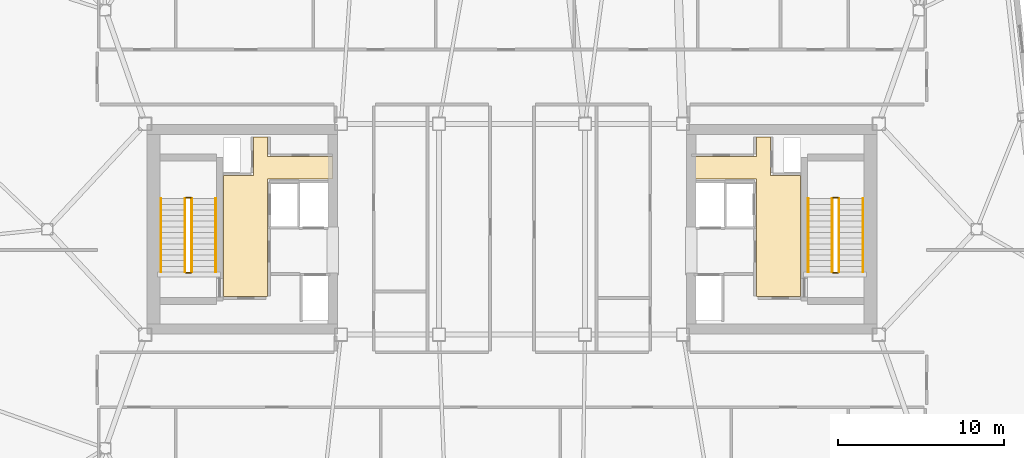
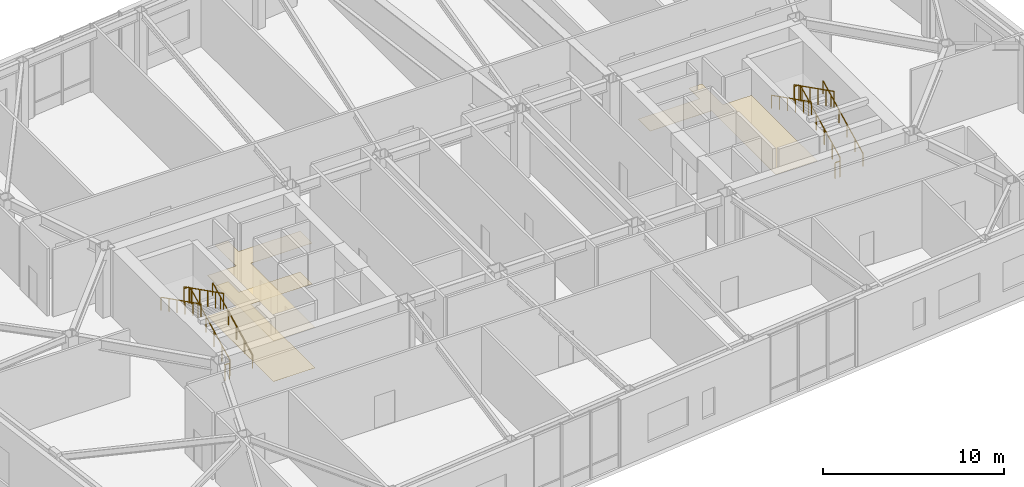
# One storey, part 21 of 21: 12 railings, 3 coverings.
"""IFC4 building model written with IfcOpenShell, lengths in metres."""

from ifc_helpers import new_model, si_unit, direction, frame, origin, origin_2d, place, context, subcontext, project, spatial, polyline, rectangle, outline, extrude, material, layer, layer_set, type_object, element, save


model = new_model("IFC4")

# Units and contexts
model_context = context("Model", 3, precision=1e-05, world=origin(), true_north=direction((0.0, 1.0)))
body_context = subcontext(model_context, "Body", "Model", "MODEL_VIEW")
ifc_project = project(units=[si_unit("LENGTHUNIT", "METRE"), si_unit("AREAUNIT", "SQUARE_METRE"), si_unit("VOLUMEUNIT", "CUBIC_METRE"), si_unit("PLANEANGLEUNIT", "RADIAN"), si_unit("MASSUNIT", "GRAM", prefix="KILO")], contexts=[model_context])

# Site, building, storey
site_placement = place(None, origin())
site = spatial("IfcSite", under=ifc_project, at=site_placement, CompositionType="ELEMENT")
building_placement = place(site_placement, origin())
building = spatial("IfcBuilding", under=site, at=building_placement, Name="Tavrogorsk Clinical Tower", CompositionType="ELEMENT")
storey_placement = place(building_placement, frame((0.0, 0.0, 238.199951171875)))
storey = spatial("IfcBuildingStorey", under=building, at=storey_placement, Name="L55", CompositionType="ELEMENT", Elevation=238.199951171875)

# Coverings
ifc_material_1 = material(Name="Antibacterial micro-perforated aluminium ceiling", Category="aluminium")
ifc_layer_1 = layer(ifc_material_1, 0.014892578125)
ifc_layer_set_1 = layer_set([ifc_layer_1], Name="Antibacterial micro-perforated aluminium ceiling")
covering_type_1 = type_object("IfcCoveringType", Name="ClinicalCeiling_15", PredefinedType="CEILING", material=ifc_layer_set_1)
covering_1_placement = place(storey_placement, frame((0.0, 0.0, 2.75)))
element("IfcCovering", 1, at=covering_1_placement, inside=storey, type_object=covering_type_1, Name="Core West Firefighting Lift Lobby Acoustic Ceiling", PredefinedType="CEILING", context=body_context, shape_type="SweptSolid", body=[
    extrude(outline(polyline([(-14.719970703125, 4.3798828125), (-10.800048828125, 4.3798828125), (-10.800048828125, 3.0400390625), (-14.719970703125, 3.0400390625), (-14.719970703125, -4.06005859375), (-17.3798828125, -4.06005859375), (-17.3798828125, 3.239990234375), (-15.56005859375, 3.239990234375), (-15.56005859375, 5.56005859375), (-14.719970703125, 5.56005859375), (-14.719970703125, 4.3798828125)])), origin(), (0.0, 0.0, 1.0), 0.01513671875),
])
covering_2_placement = place(storey_placement, frame((0.0, 0.0, 2.75)))
element("IfcCovering", 2, at=covering_2_placement, inside=storey, type_object=covering_type_1, Name="Core East Firefighting Lift Lobby Acoustic Ceiling", PredefinedType="CEILING", context=body_context, shape_type="SweptSolid", body=[
    extrude(outline(polyline([(14.719970703125, -4.06005859375), (14.719970703125, 3.0400390625), (10.800048828125, 3.0400390625), (10.800048828125, 4.3798828125), (14.719970703125, 4.3798828125), (14.719970703125, 5.56005859375), (15.56005859375, 5.56005859375), (15.56005859375, 3.239990234375), (17.3798828125, 3.239990234375), (17.3798828125, -4.06005859375), (14.719970703125, -4.06005859375)])), origin(), (0.0, 0.0, 1.0), 0.01513671875),
])
ifc_material_2 = material(Name="Homogeneous medical conductive PVC flooring")
ifc_layer_2 = layer(ifc_material_2, 0.008056640625)
ifc_layer_set_2 = layer_set([ifc_layer_2], Name="Homogeneous medical conductive PVC flooring")
covering_type_2 = type_object("IfcCoveringType", Name="ResilientVinylFloor_8", PredefinedType="FLOORING", material=ifc_layer_set_2)
covering_3_placement = place(storey_placement, origin())
element("IfcCovering", 3, at=covering_3_placement, inside=storey, type_object=covering_type_2, Name="Core West Firefighting Lift Lobby Conductive Vinyl Flooring", PredefinedType="FLOORING", context=body_context, shape_type="SweptSolid", body=[
    extrude(outline(polyline([(-14.719970703125, 4.3798828125), (-10.800048828125, 4.3798828125), (-10.800048828125, 3.0400390625), (-14.719970703125, 3.0400390625), (-14.719970703125, -4.06005859375), (-17.3798828125, -4.06005859375), (-17.3798828125, 3.239990234375), (-15.56005859375, 3.239990234375), (-15.56005859375, 5.56005859375), (-14.719970703125, 5.56005859375), (-14.719970703125, 4.3798828125)])), origin(), (0.0, 0.0, 1.0), 0.008056640625),
])

# Railings
ifc_material_3 = material(Name="Galvanised steel S355 safety stairwell guard", Category="steel")
ifc_layer_3 = layer(ifc_material_3, 0.06005859375)
ifc_layer_set_3 = layer_set([ifc_layer_3], Name="Galvanised steel S355 safety stairwell guard")
railing_type_1 = type_object("IfcRailingType", Name="StairGuard_1150", PredefinedType="GUARDRAIL", material=ifc_layer_set_3)
railing_1_placement = place(storey_placement, frame((-19.300048828125, -2.574951171875, 0.17138671875)))
element("IfcRailing", 4, at=railing_1_placement, inside=storey, type_object=railing_type_1, Name="L55 ST-W stair guard 1", PredefinedType="GUARDRAIL", context=body_context, shape_type="SweptSolid", body=[
    extrude(rectangle(XDim=0.048095703125, YDim=0.048095703125, at=origin_2d()), frame((0.0, 0.0, 1.076171875), z_axis=(0.0, 0.892902951771, 0.450249174034), x_axis=(-1.0, 0.0, 0.0)), (0.0, 0.0, 1.0), 4.949951171875),
    extrude(rectangle(XDim=0.0419921875, YDim=0.0419921875, at=origin_2d()), origin(), (0.0, 0.0, 1.0), 1.052001953125),
    extrude(rectangle(XDim=0.0419921875, YDim=0.0419921875, at=origin_2d()), frame((0.0, 0.884033203125, 0.44580078125)), (0.0, 0.0, 1.0), 1.052001953125),
    extrude(rectangle(XDim=0.0419921875, YDim=0.0419921875, at=origin_2d()), frame((0.0, 1.76806640625, 0.8916015625)), (0.0, 0.0, 1.0), 1.052001953125),
    extrude(rectangle(XDim=0.0419921875, YDim=0.0419921875, at=origin_2d()), frame((0.0, 2.65185546875, 1.337158203125)), (0.0, 0.0, 1.0), 1.052001953125),
    extrude(rectangle(XDim=0.0419921875, YDim=0.0419921875, at=origin_2d()), frame((0.0, 3.535888671875, 1.782958984375)), (0.0, 0.0, 1.0), 1.052001953125),
    extrude(rectangle(XDim=0.0419921875, YDim=0.0419921875, at=origin_2d()), frame((0.0, 4.419921875, 2.228759765625)), (0.0, 0.0, 1.0), 1.052001953125),
])
railing_2_placement = place(storey_placement, frame((-19.35009765625, 1.89501953125, 2.400146484375)))
element("IfcRailing", 5, at=railing_2_placement, inside=storey, type_object=railing_type_1, Name="L55 ST-W stair guard 2", PredefinedType="GUARDRAIL", context=body_context, shape_type="SweptSolid", body=[
    extrude(rectangle(XDim=0.048095703125, YDim=0.048095703125, at=origin_2d()), frame((0.0, 0.0, 1.076171875), z_axis=(-1.0, 0.0, 0.0), x_axis=(0.0, -1.0, 0.0)), (0.0, 0.0, 1.0), 0.2998046875),
    extrude(rectangle(XDim=0.0419921875, YDim=0.0419921875, at=origin_2d()), origin(), (0.0, 0.0, 1.0), 1.052001953125),
    extrude(rectangle(XDim=0.0419921875, YDim=0.0419921875, at=origin_2d()), frame((-0.2998046875, 0.0, 0.0)), (0.0, 0.0, 1.0), 1.052001953125),
])
railing_3_placement = place(storey_placement, frame((-19.699951171875, 1.844970703125, 2.571533203125)))
element("IfcRailing", 6, at=railing_3_placement, inside=storey, type_object=railing_type_1, Name="L55 ST-W stair guard 3", PredefinedType="GUARDRAIL", context=body_context, shape_type="SweptSolid", body=[
    extrude(rectangle(XDim=0.048095703125, YDim=0.048095703125, at=origin_2d()), frame((0.0, 0.0, 1.076171875), z_axis=(0.0, -0.89292277971, 0.450209850486), x_axis=(1.0, 0.0, 0.0)), (0.0, 0.0, 1.0), 4.949951171875),
    extrude(rectangle(XDim=0.0419921875, YDim=0.0419921875, at=origin_2d()), origin(), (0.0, 0.0, 1.0), 1.052001953125),
    extrude(rectangle(XDim=0.0419921875, YDim=0.0419921875, at=origin_2d()), frame((0.0, -0.884033203125, 0.44580078125)), (0.0, 0.0, 1.0), 1.052001953125),
    extrude(rectangle(XDim=0.0419921875, YDim=0.0419921875, at=origin_2d()), frame((0.0, -1.76806640625, 0.891357421875)), (0.0, 0.0, 1.0), 1.052001953125),
    extrude(rectangle(XDim=0.0419921875, YDim=0.0419921875, at=origin_2d()), frame((0.0, -2.65185546875, 1.337158203125)), (0.0, 0.0, 1.0), 1.052001953125),
    extrude(rectangle(XDim=0.0419921875, YDim=0.0419921875, at=origin_2d()), frame((0.0, -3.535888671875, 1.78271484375)), (0.0, 0.0, 1.0), 1.052001953125),
    extrude(rectangle(XDim=0.0419921875, YDim=0.0419921875, at=origin_2d()), frame((0.0, -4.419921875, 2.228515625)), (0.0, 0.0, 1.0), 1.052001953125),
])
railing_4_placement = place(storey_placement, frame((-19.35009765625, -2.625, 0.0)))
element("IfcRailing", 7, at=railing_4_placement, inside=storey, type_object=railing_type_1, Name="L55 ST-W stair guard 4", PredefinedType="GUARDRAIL", context=body_context, shape_type="SweptSolid", body=[
    extrude(rectangle(XDim=0.048095703125, YDim=0.048095703125, at=origin_2d()), frame((0.0, 0.0, 1.076171875), z_axis=(-1.0, 0.0, 0.0), x_axis=(0.0, -1.0, 0.0)), (0.0, 0.0, 1.0), 0.2998046875),
    extrude(rectangle(XDim=0.0419921875, YDim=0.0419921875, at=origin_2d()), origin(), (0.0, 0.0, 1.0), 1.052001953125),
    extrude(rectangle(XDim=0.0419921875, YDim=0.0419921875, at=origin_2d()), frame((-0.2998046875, 0.0, 0.0)), (0.0, 0.0, 1.0), 1.052001953125),
])
railing_5_placement = place(storey_placement, frame((19.699951171875, -2.574951171875, 0.17138671875)))
element("IfcRailing", 8, at=railing_5_placement, inside=storey, type_object=railing_type_1, Name="L55 ST-E stair guard 1", PredefinedType="GUARDRAIL", context=body_context, shape_type="SweptSolid", body=[
    extrude(rectangle(XDim=0.048095703125, YDim=0.048095703125, at=origin_2d()), frame((0.0, 0.0, 1.076171875), z_axis=(0.0, 0.892902951771, 0.450249174034), x_axis=(-1.0, 0.0, 0.0)), (0.0, 0.0, 1.0), 4.949951171875),
    extrude(rectangle(XDim=0.0419921875, YDim=0.0419921875, at=origin_2d()), origin(), (0.0, 0.0, 1.0), 1.052001953125),
    extrude(rectangle(XDim=0.0419921875, YDim=0.0419921875, at=origin_2d()), frame((0.0, 0.884033203125, 0.44580078125)), (0.0, 0.0, 1.0), 1.052001953125),
    extrude(rectangle(XDim=0.0419921875, YDim=0.0419921875, at=origin_2d()), frame((0.0, 1.76806640625, 0.8916015625)), (0.0, 0.0, 1.0), 1.052001953125),
    extrude(rectangle(XDim=0.0419921875, YDim=0.0419921875, at=origin_2d()), frame((0.0, 2.65185546875, 1.337158203125)), (0.0, 0.0, 1.0), 1.052001953125),
    extrude(rectangle(XDim=0.0419921875, YDim=0.0419921875, at=origin_2d()), frame((0.0, 3.535888671875, 1.782958984375)), (0.0, 0.0, 1.0), 1.052001953125),
    extrude(rectangle(XDim=0.0419921875, YDim=0.0419921875, at=origin_2d()), frame((0.0, 4.419921875, 2.228759765625)), (0.0, 0.0, 1.0), 1.052001953125),
])
railing_6_placement = place(storey_placement, frame((19.64990234375, 1.89501953125, 2.400146484375)))
element("IfcRailing", 9, at=railing_6_placement, inside=storey, type_object=railing_type_1, Name="L55 ST-E stair guard 2", PredefinedType="GUARDRAIL", context=body_context, shape_type="SweptSolid", body=[
    extrude(rectangle(XDim=0.048095703125, YDim=0.048095703125, at=origin_2d()), frame((0.0, 0.0, 1.076171875), z_axis=(-1.0, 0.0, 0.0), x_axis=(0.0, -1.0, 0.0)), (0.0, 0.0, 1.0), 0.2998046875),
    extrude(rectangle(XDim=0.0419921875, YDim=0.0419921875, at=origin_2d()), origin(), (0.0, 0.0, 1.0), 1.052001953125),
    extrude(rectangle(XDim=0.0419921875, YDim=0.0419921875, at=origin_2d()), frame((-0.2998046875, 0.0, 0.0)), (0.0, 0.0, 1.0), 1.052001953125),
])
railing_7_placement = place(storey_placement, frame((19.300048828125, 1.844970703125, 2.571533203125)))
element("IfcRailing", 10, at=railing_7_placement, inside=storey, type_object=railing_type_1, Name="L55 ST-E stair guard 3", PredefinedType="GUARDRAIL", context=body_context, shape_type="SweptSolid", body=[
    extrude(rectangle(XDim=0.048095703125, YDim=0.048095703125, at=origin_2d()), frame((0.0, 0.0, 1.076171875), z_axis=(0.0, -0.89292277971, 0.450209850486), x_axis=(1.0, 0.0, 0.0)), (0.0, 0.0, 1.0), 4.949951171875),
    extrude(rectangle(XDim=0.0419921875, YDim=0.0419921875, at=origin_2d()), origin(), (0.0, 0.0, 1.0), 1.052001953125),
    extrude(rectangle(XDim=0.0419921875, YDim=0.0419921875, at=origin_2d()), frame((0.0, -0.884033203125, 0.44580078125)), (0.0, 0.0, 1.0), 1.052001953125),
    extrude(rectangle(XDim=0.0419921875, YDim=0.0419921875, at=origin_2d()), frame((0.0, -1.76806640625, 0.891357421875)), (0.0, 0.0, 1.0), 1.052001953125),
    extrude(rectangle(XDim=0.0419921875, YDim=0.0419921875, at=origin_2d()), frame((0.0, -2.65185546875, 1.337158203125)), (0.0, 0.0, 1.0), 1.052001953125),
    extrude(rectangle(XDim=0.0419921875, YDim=0.0419921875, at=origin_2d()), frame((0.0, -3.535888671875, 1.78271484375)), (0.0, 0.0, 1.0), 1.052001953125),
    extrude(rectangle(XDim=0.0419921875, YDim=0.0419921875, at=origin_2d()), frame((0.0, -4.419921875, 2.228515625)), (0.0, 0.0, 1.0), 1.052001953125),
])
railing_8_placement = place(storey_placement, frame((19.64990234375, -2.625, 0.0)))
element("IfcRailing", 11, at=railing_8_placement, inside=storey, type_object=railing_type_1, Name="L55 ST-E stair guard 4", PredefinedType="GUARDRAIL", context=body_context, shape_type="SweptSolid", body=[
    extrude(rectangle(XDim=0.048095703125, YDim=0.048095703125, at=origin_2d()), frame((0.0, 0.0, 1.076171875), z_axis=(-1.0, 0.0, 0.0), x_axis=(0.0, -1.0, 0.0)), (0.0, 0.0, 1.0), 0.2998046875),
    extrude(rectangle(XDim=0.0419921875, YDim=0.0419921875, at=origin_2d()), origin(), (0.0, 0.0, 1.0), 1.052001953125),
    extrude(rectangle(XDim=0.0419921875, YDim=0.0419921875, at=origin_2d()), frame((-0.2998046875, 0.0, 0.0)), (0.0, 0.0, 1.0), 1.052001953125),
])
ifc_material_4 = material(Name="Stainless steel AISI 304 tubular handrail", Category="steel")
ifc_layer_4 = layer(ifc_material_4, 0.050048828125)
ifc_layer_set_4 = layer_set([ifc_layer_4], Name="Stainless steel AISI 304 tubular handrail")
railing_type_2 = type_object("IfcRailingType", Name="StairHandrail_920", PredefinedType="HANDRAIL", material=ifc_layer_set_4)
railing_9_placement = place(storey_placement, frame((-17.85009765625, -2.574951171875, 0.17138671875)))
element("IfcRailing", 12, at=railing_9_placement, inside=storey, type_object=railing_type_2, Name="L55 ST-W stair handrail 1", PredefinedType="HANDRAIL", context=body_context, shape_type="SweptSolid", body=[
    extrude(rectangle(XDim=0.048095703125, YDim=0.048095703125, at=origin_2d()), frame((0.0, 0.0, 0.8759765625), z_axis=(0.0, 0.892902951771, 0.450249174034), x_axis=(-1.0, 0.0, 0.0)), (0.0, 0.0, 1.0), 4.949951171875),
    extrude(rectangle(XDim=0.0419921875, YDim=0.0419921875, at=origin_2d()), origin(), (0.0, 0.0, 1.0), 0.851806640625),
    extrude(rectangle(XDim=0.0419921875, YDim=0.0419921875, at=origin_2d()), frame((0.0, 0.884033203125, 0.44580078125)), (0.0, 0.0, 1.0), 0.851806640625),
    extrude(rectangle(XDim=0.0419921875, YDim=0.0419921875, at=origin_2d()), frame((0.0, 1.76806640625, 0.8916015625)), (0.0, 0.0, 1.0), 0.851806640625),
    extrude(rectangle(XDim=0.0419921875, YDim=0.0419921875, at=origin_2d()), frame((0.0, 2.65185546875, 1.337158203125)), (0.0, 0.0, 1.0), 0.851806640625),
    extrude(rectangle(XDim=0.0419921875, YDim=0.0419921875, at=origin_2d()), frame((0.0, 3.535888671875, 1.782958984375)), (0.0, 0.0, 1.0), 0.851806640625),
    extrude(rectangle(XDim=0.0419921875, YDim=0.0419921875, at=origin_2d()), frame((0.0, 4.419921875, 2.228759765625)), (0.0, 0.0, 1.0), 0.851806640625),
])
railing_10_placement = place(storey_placement, frame((-21.14990234375, 1.844970703125, 2.571533203125)))
element("IfcRailing", 13, at=railing_10_placement, inside=storey, type_object=railing_type_2, Name="L55 ST-W stair handrail 2", PredefinedType="HANDRAIL", context=body_context, shape_type="SweptSolid", body=[
    extrude(rectangle(XDim=0.048095703125, YDim=0.048095703125, at=origin_2d()), frame((0.0, 0.0, 0.8759765625), z_axis=(0.0, -0.89292277971, 0.450209850486), x_axis=(1.0, 0.0, 0.0)), (0.0, 0.0, 1.0), 4.949951171875),
    extrude(rectangle(XDim=0.0419921875, YDim=0.0419921875, at=origin_2d()), origin(), (0.0, 0.0, 1.0), 0.851806640625),
    extrude(rectangle(XDim=0.0419921875, YDim=0.0419921875, at=origin_2d()), frame((0.0, -0.884033203125, 0.44580078125)), (0.0, 0.0, 1.0), 0.851806640625),
    extrude(rectangle(XDim=0.0419921875, YDim=0.0419921875, at=origin_2d()), frame((0.0, -1.76806640625, 0.891357421875)), (0.0, 0.0, 1.0), 0.851806640625),
    extrude(rectangle(XDim=0.0419921875, YDim=0.0419921875, at=origin_2d()), frame((0.0, -2.65185546875, 1.337158203125)), (0.0, 0.0, 1.0), 0.851806640625),
    extrude(rectangle(XDim=0.0419921875, YDim=0.0419921875, at=origin_2d()), frame((0.0, -3.535888671875, 1.78271484375)), (0.0, 0.0, 1.0), 0.851806640625),
    extrude(rectangle(XDim=0.0419921875, YDim=0.0419921875, at=origin_2d()), frame((0.0, -4.419921875, 2.228515625)), (0.0, 0.0, 1.0), 0.851806640625),
])
railing_11_placement = place(storey_placement, frame((21.14990234375, -2.574951171875, 0.17138671875)))
element("IfcRailing", 14, at=railing_11_placement, inside=storey, type_object=railing_type_2, Name="L55 ST-E stair handrail 1", PredefinedType="HANDRAIL", context=body_context, shape_type="SweptSolid", body=[
    extrude(rectangle(XDim=0.048095703125, YDim=0.048095703125, at=origin_2d()), frame((0.0, 0.0, 0.8759765625), z_axis=(0.0, 0.892902951771, 0.450249174034), x_axis=(-1.0, 0.0, 0.0)), (0.0, 0.0, 1.0), 4.949951171875),
    extrude(rectangle(XDim=0.0419921875, YDim=0.0419921875, at=origin_2d()), origin(), (0.0, 0.0, 1.0), 0.851806640625),
    extrude(rectangle(XDim=0.0419921875, YDim=0.0419921875, at=origin_2d()), frame((0.0, 0.884033203125, 0.44580078125)), (0.0, 0.0, 1.0), 0.851806640625),
    extrude(rectangle(XDim=0.0419921875, YDim=0.0419921875, at=origin_2d()), frame((0.0, 1.76806640625, 0.8916015625)), (0.0, 0.0, 1.0), 0.851806640625),
    extrude(rectangle(XDim=0.0419921875, YDim=0.0419921875, at=origin_2d()), frame((0.0, 2.65185546875, 1.337158203125)), (0.0, 0.0, 1.0), 0.851806640625),
    extrude(rectangle(XDim=0.0419921875, YDim=0.0419921875, at=origin_2d()), frame((0.0, 3.535888671875, 1.782958984375)), (0.0, 0.0, 1.0), 0.851806640625),
    extrude(rectangle(XDim=0.0419921875, YDim=0.0419921875, at=origin_2d()), frame((0.0, 4.419921875, 2.228759765625)), (0.0, 0.0, 1.0), 0.851806640625),
])
railing_12_placement = place(storey_placement, frame((17.85009765625, 1.844970703125, 2.571533203125)))
element("IfcRailing", 15, at=railing_12_placement, inside=storey, type_object=railing_type_2, Name="L55 ST-E stair handrail 2", PredefinedType="HANDRAIL", context=body_context, shape_type="SweptSolid", body=[
    extrude(rectangle(XDim=0.048095703125, YDim=0.048095703125, at=origin_2d()), frame((0.0, 0.0, 0.8759765625), z_axis=(0.0, -0.89292277971, 0.450209850486), x_axis=(1.0, 0.0, 0.0)), (0.0, 0.0, 1.0), 4.949951171875),
    extrude(rectangle(XDim=0.0419921875, YDim=0.0419921875, at=origin_2d()), origin(), (0.0, 0.0, 1.0), 0.851806640625),
    extrude(rectangle(XDim=0.0419921875, YDim=0.0419921875, at=origin_2d()), frame((0.0, -0.884033203125, 0.44580078125)), (0.0, 0.0, 1.0), 0.851806640625),
    extrude(rectangle(XDim=0.0419921875, YDim=0.0419921875, at=origin_2d()), frame((0.0, -1.76806640625, 0.891357421875)), (0.0, 0.0, 1.0), 0.851806640625),
    extrude(rectangle(XDim=0.0419921875, YDim=0.0419921875, at=origin_2d()), frame((0.0, -2.65185546875, 1.337158203125)), (0.0, 0.0, 1.0), 0.851806640625),
    extrude(rectangle(XDim=0.0419921875, YDim=0.0419921875, at=origin_2d()), frame((0.0, -3.535888671875, 1.78271484375)), (0.0, 0.0, 1.0), 0.851806640625),
    extrude(rectangle(XDim=0.0419921875, YDim=0.0419921875, at=origin_2d()), frame((0.0, -4.419921875, 2.228515625)), (0.0, 0.0, 1.0), 0.851806640625),
])

save(model, "model.ifc")
